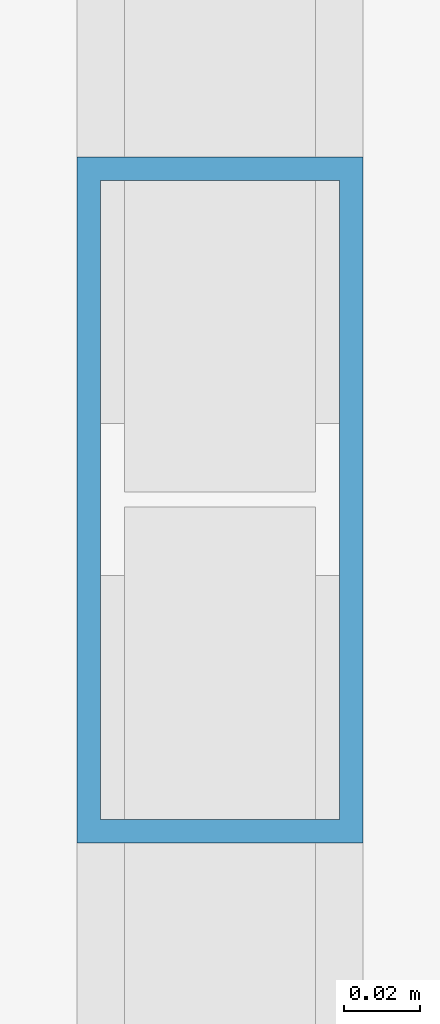
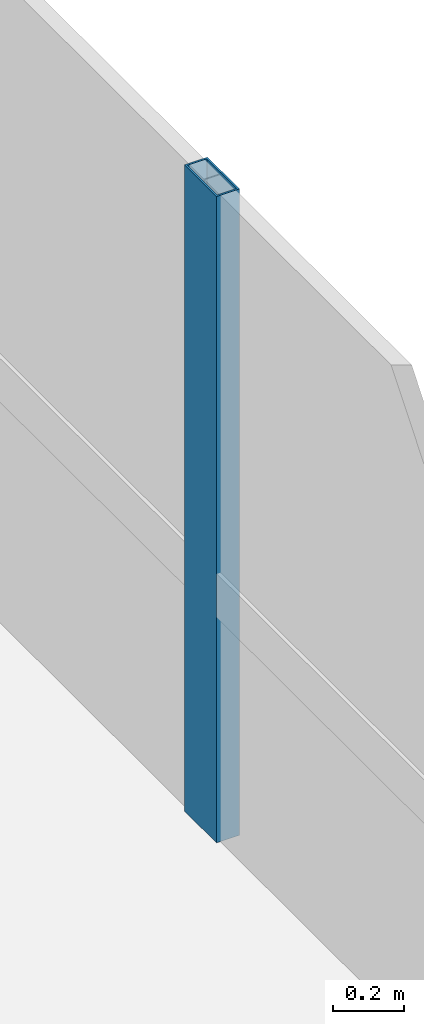
# One storey, part 19 of 42: 1 member, 1 element without a shape of its own.
"""IFC4 building model written with IfcOpenShell, lengths in metres."""

from ifc_helpers import new_model, si_unit, direction, frame, origin, origin_2d, place, context, subcontext, project, spatial, hollow_rectangle, extrude, material, material_profile, profile_set, type_object, element, aggregate, save


model = new_model("IFC4")

# Units and contexts
model_context = context("Model", 3, precision=1e-05, world=origin(), true_north=direction((0.0, 1.0)))
body_context = subcontext(model_context, "Body", "Model", "MODEL_VIEW")
ifc_project = project(units=[si_unit("LENGTHUNIT", "METRE"), si_unit("AREAUNIT", "SQUARE_METRE"), si_unit("VOLUMEUNIT", "CUBIC_METRE"), si_unit("PLANEANGLEUNIT", "RADIAN"), si_unit("MASSUNIT", "GRAM", prefix="KILO")], contexts=[model_context])

# Site, building, storey
site_placement = place(None, origin())
site = spatial("IfcSite", under=ifc_project, at=site_placement, CompositionType="ELEMENT")
building_placement = place(site_placement, origin())
building = spatial("IfcBuilding", under=site, at=building_placement, Name="Thornwick Lancets Civic Towers", CompositionType="ELEMENT")
storey_placement = place(building_placement, frame((0.0, 0.0, 289.5)))
storey = spatial("IfcBuildingStorey", under=building, at=storey_placement, Name="C04", CompositionType="ELEMENT", Elevation=289.5)

# Curtain wall, member
ifc_material_1 = material(Name="Crown ring acoustic-louvre and glazing screen wall", Category="glass")
curtain_wall_type = type_object("IfcCurtainWallType", Name="CW_SYS_07", PredefinedType="NOTDEFINED", material=ifc_material_1)
curtain_wall_placement = place(storey_placement, origin())
curtain_wall = element("IfcCurtainWall", 1, at=curtain_wall_placement, inside=storey, type_object=curtain_wall_type, Name="C04 Curtain Wall CW-C04-A-E2", PredefinedType="NOTDEFINED")
ifc_material_2 = material(Name="Thermally broken bronze aluminium S355", Category="steel")
ifc_material_profile = material_profile(ifc_material_2, hollow_rectangle(XDim=0.074951171875, YDim=0.179931640625, WallThickness=0.006103515625, at=origin_2d()), Name="RHS 180x75x6")
ifc_profile_set = profile_set([ifc_material_profile], Name="Thermally broken bronze aluminium S355")
member_type = type_object("IfcMemberType", Name="CW_MUL_180", PredefinedType="MULLION", material=ifc_profile_set)
member_placement = place(storey_placement, frame((49.2646484375, 30.03369140625, 0.0), z_axis=(0.0, 0.0, 1.0), x_axis=(1.0, 0.0, 0.0)))
member = element("IfcMember", 2, at=member_placement, type_object=member_type, Name="CW-C04-A-E2 Mullion 2", PredefinedType="MULLION", context=body_context, shape_type="SweptSolid", body=[
    extrude(hollow_rectangle(XDim=0.074951171875, YDim=0.179931640625, WallThickness=0.006103515625, at=origin_2d()), origin(), (0.0, 0.0, 1.0), 2.219970703125),
])
aggregate(curtain_wall, [member])

save(model, "model.ifc")
